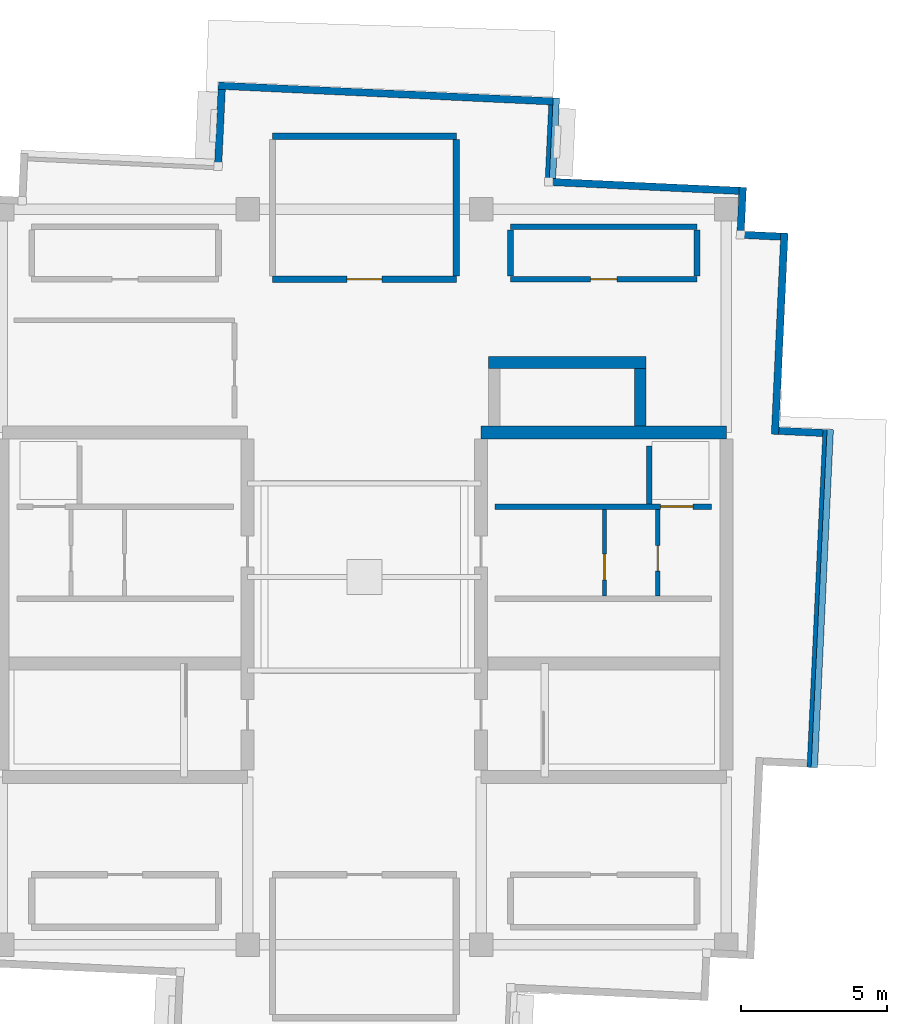
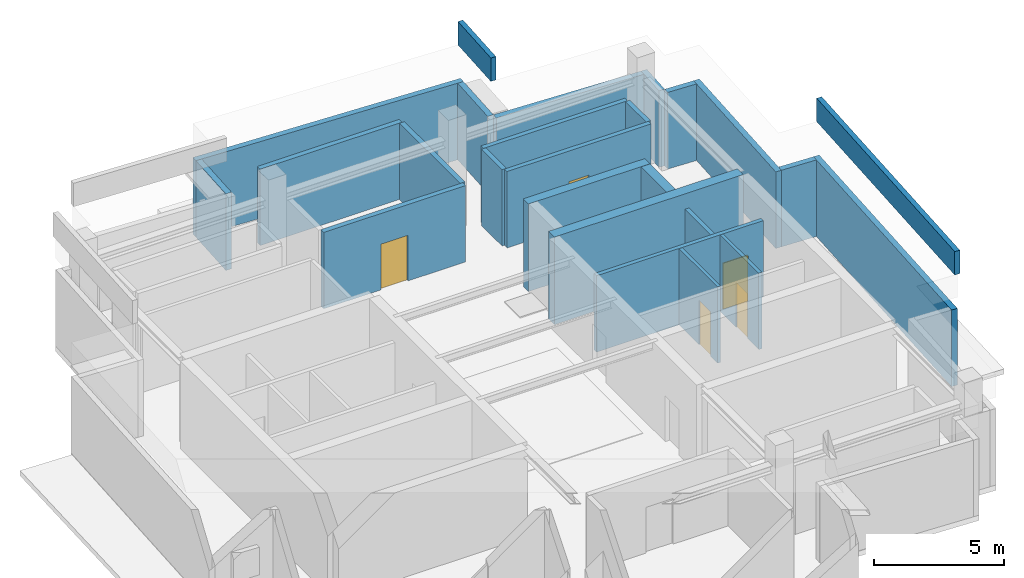
# One storey, part 3 of 4: 25 walls, 5 doors, 5 openings.
"""IFC4 building model written with IfcOpenShell, lengths in metres."""

from ifc_helpers import new_model, si_unit, direction, frame, frame_2d, origin, place, context, subcontext, project, spatial, rectangle, extrude, material, layer, layer_set, type_object, element, fill, save


model = new_model("IFC4")

# Units and contexts
model_context = context("Model", 3, precision=1e-05, world=origin(), true_north=direction((0.0, 1.0)))
body_context = subcontext(model_context, "Body", "Model", "MODEL_VIEW")
ifc_project = project(units=[si_unit("LENGTHUNIT", "METRE"), si_unit("AREAUNIT", "SQUARE_METRE"), si_unit("VOLUMEUNIT", "CUBIC_METRE"), si_unit("PLANEANGLEUNIT", "RADIAN"), si_unit("MASSUNIT", "GRAM", prefix="KILO")], contexts=[model_context])

# Site, building, storey
site_placement = place(None, origin())
site = spatial("IfcSite", under=ifc_project, at=site_placement, CompositionType="ELEMENT")
building_placement = place(site_placement, origin())
building = spatial("IfcBuilding", under=site, at=building_placement, Name="Qingluan Cross Belvedere", CompositionType="ELEMENT")
storey_placement = place(building_placement, frame((0.0, 0.0, 321.89990234375)))
storey = spatial("IfcBuildingStorey", under=building, at=storey_placement, Name="L79", CompositionType="ELEMENT", Elevation=321.89990234375)

# Walls
ifc_material_1 = material(Name="Concrete C50", Category="concrete")
ifc_layer_1 = layer(ifc_material_1, 0.449951171875, Name="CoreShearWall_450")
ifc_layer_set_1 = layer_set([ifc_layer_1], Name="Concrete C50")
wall_type_1 = type_object("IfcWallType", Name="CoreShearWall_450", PredefinedType="SHEAR", material=ifc_layer_set_1)
wall_1_placement = place(storey_placement, frame((4.0, 4.949951171875, 0.0), z_axis=(0.0, 0.0, 1.0), x_axis=(1.0, 0.0, 0.0)))
element("IfcWall", 1, at=wall_1_placement, inside=storey, type_object=wall_type_1, Name="Split core E shear wall L79-N", PredefinedType="SHEAR", context=body_context, shape_type="SweptSolid", body=[
    extrude(rectangle(XDim=8.39990234375, YDim=0.449951171875, at=frame_2d((4.199951171875, 0.0))), origin(), (0.0, 0.0, 1.0), 4.1201171875),
])
wall_2_placement = place(storey_placement, frame((4.25, 7.35009765625, 0.0), z_axis=(0.0, 0.0, 1.0), x_axis=(1.0, 0.0, 0.0)))
element("IfcWall", 2, at=wall_2_placement, inside=storey, type_object=wall_type_1, Name="Express shuttle core wall L79-N", PredefinedType="SHEAR", context=body_context, shape_type="SweptSolid", body=[
    extrude(rectangle(XDim=5.39990234375, YDim=0.39990234375, at=frame_2d((2.699951171875, 0.0))), origin(), (0.0, 0.0, 1.0), 4.1201171875),
])
wall_3_placement = place(storey_placement, frame((9.449951171875, 5.179931640625, 0.0), z_axis=(0.0, 0.0, 1.0), x_axis=(0.0, 1.0, 0.0)))
element("IfcWall", 3, at=wall_3_placement, inside=storey, type_object=wall_type_1, Name="Express shuttle core wall L79-E", PredefinedType="SHEAR", context=body_context, shape_type="SweptSolid", body=[
    extrude(rectangle(XDim=1.9599609375, YDim=0.39990234375, at=frame_2d((0.97998046875, 0.0))), origin(), (0.0, 0.0, 1.0), 4.1201171875),
])

# Wall, opening, door
ifc_material_2 = material(Name="Gypsum plasterboard on steel stud acoustic partition", Category="steel")
ifc_layer_2 = layer(ifc_material_2, 0.159912109375, Name="CorridorPartition_160")
ifc_layer_set_2 = layer_set([ifc_layer_2], Name="Gypsum plasterboard on steel stud acoustic partition")
wall_type_2 = type_object("IfcWallType", Name="CorridorPartition_160", PredefinedType="PARTITIONING", material=ifc_layer_set_2)
wall_4_placement = place(storey_placement, frame((10.050048828125, -0.652099609375, 0.0), z_axis=(0.0, 0.0, 1.0), x_axis=(0.0, 1.0, 0.0)))
wall_4 = element("IfcWall", 4, at=wall_4_placement, inside=storey, type_object=wall_type_2, Name="Partition L79:ev", PredefinedType="PARTITIONING", context=body_context, shape_type="SweptSolid", body=[
    extrude(rectangle(XDim=2.962158203125, YDim=0.139892578125, at=frame_2d((1.48095703125, 0.0))), origin(), (0.0, 0.0, 1.0), 3.590087890625),
])
opening_1_placement = place(wall_4_placement, frame((0.85009765625, 0.0, 0.0)))
opening_1 = element("IfcOpeningElement", 5, at=opening_1_placement, cuts=wall_4, Name="Opening FD-B10", PredefinedType="OPENING", context=body_context, shape_type="SweptSolid", body=[
    extrude(rectangle(XDim=0.8798828125, YDim=2.10009765625, at=frame_2d((0.43994140625, 1.050048828125))), frame((0.0, 0.079833984375, 0.0), z_axis=(0.0, -1.0, 0.0), x_axis=(1.0, 0.0, 0.0)), (0.0, 0.0, 1.0), 0.159912109375),
])
ifc_material_3 = material(Name="Steel Class B service fire door", Category="steel")
door_type_1 = type_object("IfcDoorType", Name="RiserServiceFireDoor_FDB", OperationType="NOTDEFINED", PredefinedType="DOOR", material=ifc_material_3)
door_1_placement = place(opening_1_placement, origin())
door_1 = element("IfcDoor", 6, at=door_1_placement, inside=storey, type_object=door_type_1, Name="Service closet inner door L79", OperationType="SINGLE_SWING_LEFT", OverallHeight=2.10009765625, OverallWidth=0.8798828125, PredefinedType="DOOR", context=body_context, shape_type="SweptSolid", body=[
    extrude(rectangle(XDim=0.8798828125, YDim=2.10009765625, at=frame_2d((0.43994140625, 1.050048828125))), frame((0.0, 0.02490234375, 0.0), z_axis=(0.0, -1.0, 0.0), x_axis=(1.0, 0.0, 0.0)), (0.0, 0.0, 1.0), 0.050048828125),
])
fill(opening_1, door_1)

wall_5_placement = place(storey_placement, frame((-3.14990234375, 10.199951171875, 0.0), z_axis=(0.0, 0.0, 1.0), x_axis=(1.0, 0.0, 0.0)))
wall_5 = element("IfcWall", 7, at=wall_5_placement, inside=storey, type_object=wall_type_2, Name="Partition L79:roof_tank:S", PredefinedType="PARTITIONING", context=body_context, shape_type="SweptSolid", body=[
    extrude(rectangle(XDim=6.2998046875, YDim=0.219970703125, at=frame_2d((3.14990234375, 0.0))), origin(), (0.0, 0.0, 1.0), 3.590087890625),
])
opening_2_placement = place(wall_5_placement, frame((2.550048828125, 0.0, 0.0)))
opening_2 = element("IfcOpeningElement", 8, at=opening_2_placement, cuts=wall_5, Name="Opening FD-A12", PredefinedType="OPENING", context=body_context, shape_type="SweptSolid", body=[
    extrude(rectangle(XDim=1.199951171875, YDim=2.14990234375, at=frame_2d((0.60009765625, 1.074951171875))), frame((0.0, 0.119873046875, 0.0), z_axis=(0.0, -1.0, 0.0), x_axis=(1.0, 0.0, 0.0)), (0.0, 0.0, 1.0), 0.239990234375),
])
ifc_material_4 = material(Name="Insulated steel Class A fire door", Category="steel")
door_type_2 = type_object("IfcDoorType", Name="RefugeCompartmentDoor_FDA", OperationType="NOTDEFINED", PredefinedType="DOOR", material=ifc_material_4)
door_2_placement = place(opening_2_placement, origin())
door_2 = element("IfcDoor", 9, at=door_2_placement, inside=storey, type_object=door_type_2, Name="Gravity fire and domestic water tank room North L79 door", OperationType="SINGLE_SWING_RIGHT", OverallHeight=2.14990234375, OverallWidth=1.199951171875, PredefinedType="DOOR", context=body_context, shape_type="SweptSolid", body=[
    extrude(rectangle(XDim=1.199951171875, YDim=2.14990234375, at=frame_2d((0.60009765625, 1.074951171875))), frame((0.0, 0.02490234375, 0.0), z_axis=(0.0, -1.0, 0.0), x_axis=(1.0, 0.0, 0.0)), (0.0, 0.0, 1.0), 0.050048828125),
])
fill(opening_2, door_2)

# Walls
wall_6_placement = place(storey_placement, frame((-3.14990234375, 15.10009765625, 0.0), z_axis=(0.0, 0.0, 1.0), x_axis=(1.0, 0.0, 0.0)))
element("IfcWall", 10, at=wall_6_placement, inside=storey, type_object=wall_type_2, Name="Partition L79:roof_tank:N", PredefinedType="PARTITIONING", context=body_context, shape_type="SweptSolid", body=[
    extrude(rectangle(XDim=6.2998046875, YDim=0.219970703125, at=frame_2d((3.14990234375, 0.0))), origin(), (0.0, 0.0, 1.0), 3.590087890625),
])
wall_7_placement = place(storey_placement, frame((3.14990234375, 10.31494140625, 0.0), z_axis=(0.0, 0.0, 1.0), x_axis=(0.0, 1.0, 0.0)))
element("IfcWall", 11, at=wall_7_placement, inside=storey, type_object=wall_type_2, Name="Partition L79:roof_tank:E", PredefinedType="PARTITIONING", context=body_context, shape_type="SweptSolid", body=[
    extrude(rectangle(XDim=4.670166015625, YDim=0.219970703125, at=frame_2d((2.3349609375, 0.0))), origin(), (0.0, 0.0, 1.0), 3.590087890625),
])

# Wall, opening, door
wall_8_placement = place(storey_placement, frame((5.0, 10.199951171875, 0.0), z_axis=(0.0, 0.0, 1.0), x_axis=(1.0, 0.0, 0.0)))
wall_8 = element("IfcWall", 12, at=wall_8_placement, inside=storey, type_object=wall_type_2, Name="Partition L79:roof_lift_mr:S", PredefinedType="PARTITIONING", context=body_context, shape_type="SweptSolid", body=[
    extrude(rectangle(XDim=6.39990234375, YDim=0.199951171875, at=frame_2d((3.199951171875, 0.0))), origin(), (0.0, 0.0, 1.0), 3.590087890625),
])
opening_3_placement = place(wall_8_placement, frame((2.75, 0.0, 0.0)))
opening_3 = element("IfcOpeningElement", 13, at=opening_3_placement, cuts=wall_8, Name="Opening FD-B09", PredefinedType="OPENING", context=body_context, shape_type="SweptSolid", body=[
    extrude(rectangle(XDim=0.89990234375, YDim=2.14990234375, at=frame_2d((0.449951171875, 1.074951171875))), frame((0.0, 0.10986328125, 0.0), z_axis=(0.0, -1.0, 0.0), x_axis=(1.0, 0.0, 0.0)), (0.0, 0.0, 1.0), 0.219970703125),
])
ifc_material_5 = material(Name="Steel Class B control room fire door", Category="steel")
door_type_3 = type_object("IfcDoorType", Name="ControlServiceFireDoor_FDB", OperationType="NOTDEFINED", PredefinedType="DOOR", material=ifc_material_5)
door_3_placement = place(opening_3_placement, origin())
door_3 = element("IfcDoor", 14, at=door_3_placement, inside=storey, type_object=door_type_3, Name="Express lift machine room L79 door", OperationType="SINGLE_SWING_LEFT", OverallHeight=2.14990234375, OverallWidth=0.89990234375, PredefinedType="DOOR", context=body_context, shape_type="SweptSolid", body=[
    extrude(rectangle(XDim=0.89990234375, YDim=2.14990234375, at=frame_2d((0.449951171875, 1.074951171875))), frame((0.0, 0.02490234375, 0.0), z_axis=(0.0, -1.0, 0.0), x_axis=(1.0, 0.0, 0.0)), (0.0, 0.0, 1.0), 0.050048828125),
])
fill(opening_3, door_3)

# Walls
wall_9_placement = place(storey_placement, frame((5.0, 12.0, 0.0), z_axis=(0.0, 0.0, 1.0), x_axis=(1.0, 0.0, 0.0)))
element("IfcWall", 15, at=wall_9_placement, inside=storey, type_object=wall_type_2, Name="Partition L79:roof_lift_mr:N", PredefinedType="PARTITIONING", context=body_context, shape_type="SweptSolid", body=[
    extrude(rectangle(XDim=6.39990234375, YDim=0.199951171875, at=frame_2d((3.199951171875, 0.0))), origin(), (0.0, 0.0, 1.0), 3.590087890625),
])
for number, where, z_axis, x_axis, name in (
    (16, (5.0, 10.304931640625, 0.0), (0.0, 0.0, 1.0), (0.0, 1.0, 0.0), "Partition L79:roof_lift_mr:W"),
    (17, (11.39990234375, 10.304931640625, 0.0), (0.0, 0.0, 1.0), (0.0, 1.0, 0.0), "Partition L79:roof_lift_mr:E"),
):
    element("IfcWall", number, at=place(storey_placement, frame(where, z_axis=z_axis, x_axis=x_axis)), inside=storey, type_object=wall_type_2, Name=name, PredefinedType="PARTITIONING", context=body_context, shape_type="SweptSolid", body=[
        extrude(rectangle(XDim=1.590087890625, YDim=0.199951171875, at=frame_2d((0.794921875, 0.0))), origin(), (0.0, 0.0, 1.0), 3.590087890625),
    ])
ifc_material_6 = material(Name="Precast concrete C45", Category="concrete")
ifc_layer_3 = layer(ifc_material_6, 0.25, Name="PrecastCrownWall_250")
ifc_layer_set_3 = layer_set([ifc_layer_3], Name="Precast concrete C45")
wall_type_3 = type_object("IfcWallType", Name="PrecastCrownWall_250", PredefinedType="STANDARD", material=ifc_layer_set_3)
wall_10_placement = place(storey_placement, frame((15.704833984375, 4.935791015625, 0.0), z_axis=(0.0, 0.0, 1.0), x_axis=(-0.998892513999, 0.047050456713, 0.0)))
element("IfcWall", 18, at=wall_10_placement, inside=storey, type_object=wall_type_3, Name="Facade wall L79-EB", PredefinedType="STANDARD", context=body_context, shape_type="SweptSolid", body=[
    extrude(rectangle(XDim=1.510009765625, YDim=0.25, at=frame_2d((0.7548828125, 0.0))), origin(), (0.0, 0.0, 1.0), 3.60009765625),
])
wall_11_placement = place(storey_placement, frame((15.289794921875, -6.5224609375, 0.0), z_axis=(0.0, 0.0, 1.0), x_axis=(0.047100766759, 0.998890142994, 0.0)))
element("IfcWall", 19, at=wall_11_placement, inside=storey, type_object=wall_type_3, Name="Arm tip precast facade wall L79-E", PredefinedType="STANDARD", context=body_context, shape_type="SweptSolid", body=[
    extrude(rectangle(XDim=11.590087890625, YDim=0.25, at=frame_2d((5.794921875, 0.0))), origin(), (0.0, 0.0, 1.0), 3.60009765625),
])
for number, where, z_axis, x_axis, name in (
    (20, (6.320556640625, 13.662353515625, 0.0), (0.0, 0.0, 1.0), (0.0470753077, 0.998891343142, 0.0), "Facade wall L79-NA"),
    (21, (-4.888671875, 16.703857421875, 0.0), (0.0, 0.0, 1.0), (-0.0470753077, -0.998891343142, 0.0), "Facade wall L79-NB"),
):
    element("IfcWall", number, at=place(storey_placement, frame(where, z_axis=z_axis, x_axis=x_axis)), inside=storey, type_object=wall_type_3, Name=name, PredefinedType="STANDARD", context=body_context, shape_type="SweptSolid", body=[
        extrude(rectangle(XDim=2.510009765625, YDim=0.25, at=frame_2d((1.2548828125, 0.0))), origin(), (0.0, 0.0, 1.0), 3.60009765625),
    ])
wall_12_placement = place(storey_placement, frame((6.569580078125, 16.28857421875, 0.0), z_axis=(0.0, 0.0, 1.0), x_axis=(-0.998889151709, 0.04712178474, 0.0)))
element("IfcWall", 22, at=wall_12_placement, inside=storey, type_object=wall_type_3, Name="Arm tip precast facade wall L79-N", PredefinedType="STANDARD", context=body_context, shape_type="SweptSolid", body=[
    extrude(rectangle(XDim=11.590087890625, YDim=0.25, at=frame_2d((5.794921875, 0.0))), origin(), (0.0, 0.0, 1.0), 3.60009765625),
])
wall_13_placement = place(storey_placement, frame((14.06591796875, 4.8876953125, 0.0), z_axis=(0.0, 0.0, 1.0), x_axis=(0.047092777052, 0.998890519702, 0.0)))
element("IfcWall", 23, at=wall_13_placement, inside=storey, type_object=wall_type_3, Name="Corner wall L79-NE1", PredefinedType="STANDARD", context=body_context, shape_type="SweptSolid", body=[
    extrude(rectangle(XDim=6.900146484375, YDim=0.25, at=frame_2d((3.4501953125, 0.0))), origin(), (0.0, 0.0, 1.0), 3.60009765625),
])
wall_14_placement = place(storey_placement, frame((14.260009765625, 11.6611328125, 0.0), z_axis=(0.0, 0.0, 1.0), x_axis=(-0.998882234619, 0.047268185526, 0.0)))
element("IfcWall", 24, at=wall_14_placement, inside=storey, type_object=wall_type_3, Name="Corner wall L79-NE2", PredefinedType="STANDARD", context=body_context, shape_type="SweptSolid", body=[
    extrude(rectangle(XDim=1.25, YDim=0.25, at=frame_2d((0.625, 0.0))), origin(), (0.0, 0.0, 1.0), 3.60009765625),
])
wall_15_placement = place(storey_placement, frame((12.892578125, 11.850830078125, 0.0), z_axis=(0.0, 0.0, 1.0), x_axis=(0.047039284441, 0.99889304018, 0.0)))
element("IfcWall", 25, at=wall_15_placement, inside=storey, type_object=wall_type_3, Name="Corner wall L79-NE3", PredefinedType="STANDARD", context=body_context, shape_type="SweptSolid", body=[
    extrude(rectangle(XDim=1.5, YDim=0.25, at=frame_2d((0.75, 0.0))), origin(), (0.0, 0.0, 1.0), 3.60009765625),
])
wall_16_placement = place(storey_placement, frame((12.83251953125, 13.230224609375, 0.0), z_axis=(0.0, 0.0, 1.0), x_axis=(-0.998889611537, 0.04711203629, 0.0)))
element("IfcWall", 26, at=wall_16_placement, inside=storey, type_object=wall_type_3, Name="Corner wall L79-NE4", PredefinedType="STANDARD", context=body_context, shape_type="SweptSolid", body=[
    extrude(rectangle(XDim=6.39990234375, YDim=0.25, at=frame_2d((3.199951171875, 0.0))), origin(), (0.0, 0.0, 1.0), 3.60009765625),
])
ifc_material_7 = material(Name="Precast concrete C45", Category="concrete")
ifc_layer_4 = layer(ifc_material_7, 0.219970703125, Name="RoofParapetWall_220")
ifc_layer_set_4 = layer_set([ifc_layer_4], Name="Precast concrete C45")
wall_type_4 = type_object("IfcWallType", Name="RoofParapetWall_220", PredefinedType="PARAPET", material=ifc_layer_set_4)
wall_17_placement = place(storey_placement, frame((15.41455078125, -6.5283203125, 5.2001953125), z_axis=(0.0, 0.0, 1.0), x_axis=(0.047100766759, 0.998890142994, 0.0)))
element("IfcWall", 27, at=wall_17_placement, inside=storey, type_object=wall_type_4, Name="Crown plant roof concrete parapet 7", PredefinedType="PARAPET", context=body_context, shape_type="SweptSolid", body=[
    extrude(rectangle(XDim=11.590087890625, YDim=0.219970703125, at=frame_2d((5.794921875, 0.0))), origin(), (0.0, 0.0, 1.0), 1.099853515625),
])
wall_18_placement = place(storey_placement, frame((6.445556640625, 13.656494140625, 5.2001953125), z_axis=(0.0, 0.0, 1.0), x_axis=(0.047056642383, 0.998892222618, 0.0)))
element("IfcWall", 28, at=wall_18_placement, inside=storey, type_object=wall_type_4, Name="Crown plant roof concrete parapet 13", PredefinedType="PARAPET", context=body_context, shape_type="SweptSolid", body=[
    extrude(rectangle(XDim=2.76025390625, YDim=0.219970703125, at=frame_2d((1.380126953125, 0.0))), origin(), (0.0, 0.0, 1.0), 1.099853515625),
])

# Wall, opening, door
ifc_material_8 = material(Name="Concrete C40", Category="concrete")
ifc_layer_5 = layer(ifc_material_8, 0.219970703125, Name="ShaftEnclosureWall_250")
ifc_layer_set_5 = layer_set([ifc_layer_5], Name="Concrete C40")
wall_type_5 = type_object("IfcWallType", Name="ShaftEnclosureWall_250", PredefinedType="SOLIDWALL", material=ifc_layer_set_5)
wall_19_placement = place(storey_placement, frame((4.47998046875, 2.409912109375, 0.0), z_axis=(0.0, 0.0, 1.0), x_axis=(1.0, 0.0, 0.0)))
wall_19 = element("IfcWall", 29, at=wall_19_placement, inside=storey, type_object=wall_type_5, Name="Core-E north hoistway wall L79", PredefinedType="SOLIDWALL", context=body_context, shape_type="SweptSolid", body=[
    extrude(rectangle(XDim=7.419921875, YDim=0.179931640625, at=frame_2d((3.7099609375, 0.0))), origin(), (0.0, 0.0, 1.0), 3.590087890625),
])
opening_4_placement = place(wall_19_placement, frame((5.669921875, 0.0, 0.0)))
opening_4 = element("IfcOpeningElement", 30, at=opening_4_placement, cuts=wall_19, Name="Opening LD-11", PredefinedType="OPENING", context=body_context, shape_type="SweptSolid", body=[
    extrude(rectangle(XDim=1.10009765625, YDim=2.14990234375, at=frame_2d((0.550048828125, 1.074951171875))), frame((0.0, 0.099853515625, 0.0), z_axis=(0.0, -1.0, 0.0), x_axis=(1.0, 0.0, 0.0)), (0.0, 0.0, 1.0), 0.199951171875),
])
ifc_material_9 = material(Name="Brushed stainless steel centre-opening lift landing door", Category="steel")
door_type_4 = type_object("IfcDoorType", Name="LiftLandingSlidingDoor_1100", OperationType="DOUBLE_DOOR_SLIDING", PredefinedType="DOOR", material=ifc_material_9)
door_4_placement = place(opening_4_placement, origin())
door_4 = element("IfcDoor", 31, at=door_4_placement, inside=storey, type_object=door_type_4, Name="Lift landing sliding door FL2 L79", OperationType="DOUBLE_DOOR_SLIDING", OverallHeight=2.14990234375, OverallWidth=1.10009765625, PredefinedType="DOOR", context=body_context, shape_type="SweptSolid", body=[
    extrude(rectangle(XDim=1.10009765625, YDim=2.14990234375, at=frame_2d((0.550048828125, 1.074951171875))), frame((0.0, 0.02490234375, 0.0), z_axis=(0.0, -1.0, 0.0), x_axis=(1.0, 0.0, 0.0)), (0.0, 0.0, 1.0), 0.050048828125),
])
fill(opening_4, door_4)

# Wall
wall_20_placement = place(storey_placement, frame((9.760009765625, 2.5, 0.0), z_axis=(0.0, 0.0, 1.0), x_axis=(0.0, 1.0, 0.0)))
element("IfcWall", 32, at=wall_20_placement, inside=storey, type_object=wall_type_5, Name="Hoistway enclosure divider FL2W L79", PredefinedType="SOLIDWALL", context=body_context, shape_type="SweptSolid", body=[
    extrude(rectangle(XDim=1.989990234375, YDim=0.179931640625, at=frame_2d((0.9951171875, 0.0))), origin(), (0.0, 0.0, 1.0), 3.590087890625),
])

# Wall, opening, door
wall_21_placement = place(storey_placement, frame((8.219970703125, -0.64990234375, 0.0), z_axis=(0.0, 0.0, 1.0), x_axis=(0.0, 1.0, 0.0)))
wall_21 = element("IfcWall", 33, at=wall_21_placement, inside=storey, type_object=wall_type_5, Name="Core-E service corridor wall L79", PredefinedType="SOLIDWALL", context=body_context, shape_type="SweptSolid", body=[
    extrude(rectangle(XDim=2.9599609375, YDim=0.139892578125, at=frame_2d((1.47998046875, 0.0))), origin(), (0.0, 0.0, 1.0), 3.590087890625),
])
opening_5_placement = place(wall_21_placement, frame((0.550048828125, 0.0, 0.0)))
opening_5 = element("IfcOpeningElement", 34, at=opening_5_placement, cuts=wall_21, Name="Opening FD-B10", PredefinedType="OPENING", context=body_context, shape_type="SweptSolid", body=[
    extrude(rectangle(XDim=0.8798828125, YDim=2.10009765625, at=frame_2d((0.43994140625, 1.050048828125))), frame((0.0, 0.079833984375, 0.0), z_axis=(0.0, -1.0, 0.0), x_axis=(1.0, 0.0, 0.0)), (0.0, 0.0, 1.0), 0.159912109375),
])
door_5_placement = place(opening_5_placement, origin())
door_5 = element("IfcDoor", 35, at=door_5_placement, inside=storey, type_object=door_type_1, Name="Core-E service room door L79", OperationType="SINGLE_SWING_LEFT", OverallHeight=2.10009765625, OverallWidth=0.8798828125, PredefinedType="DOOR", context=body_context, shape_type="SweptSolid", body=[
    extrude(rectangle(XDim=0.8798828125, YDim=2.10009765625, at=frame_2d((0.43994140625, 1.050048828125))), frame((0.0, 0.02490234375, 0.0), z_axis=(0.0, -1.0, 0.0), x_axis=(1.0, 0.0, 0.0)), (0.0, 0.0, 1.0), 0.050048828125),
])
fill(opening_5, door_5)

save(model, "model.ifc")
